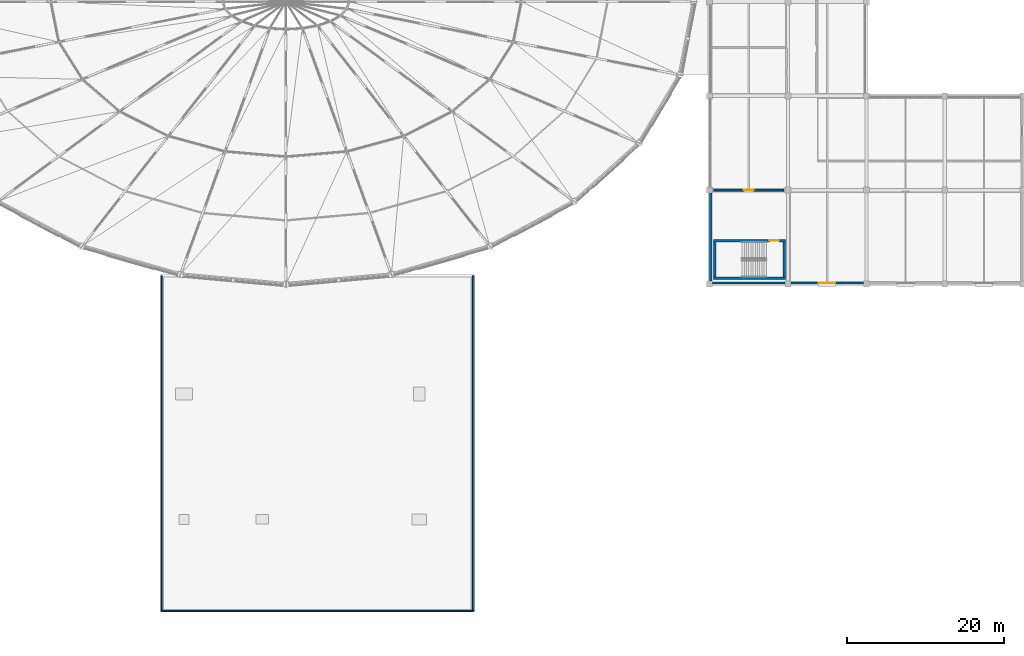
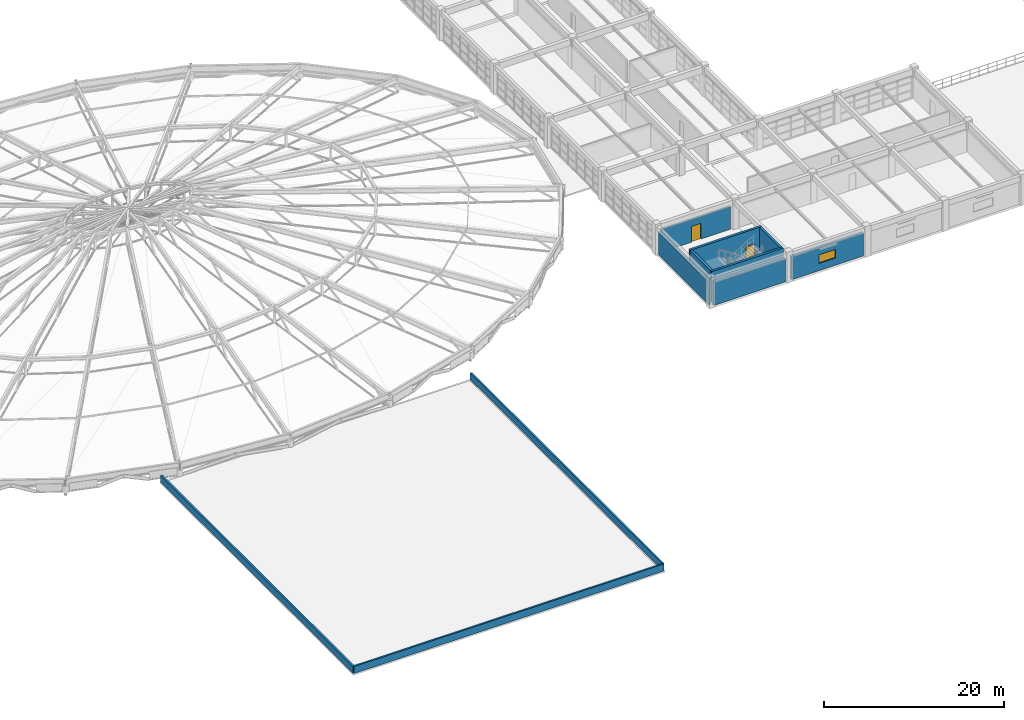
# One storey, part 69 of 83: 11 walls, 2 doors, 1 window, 3 openings.
"""IFC4 building model written with IfcOpenShell, lengths in metres."""

import ifcopenshell
import ifcopenshell.guid

model = None  # the IFC model being written
_history = None  # IfcOwnerHistory: only IFC2X3 demands one
_inside = {}  # id of a spatial element -> (the spatial element, [elements in it])
_under = {}  # id of a project, library or spatial element -> (it, [spatial elements below it])
_declared = {}  # id of a project -> (the project, [libraries it declares])
_typed = {}  # id of a type object -> (the type object, [elements of that type])
_made_of = {}  # id of a material, layer set ... -> (it, [elements and type objects made of it])


def new_model(schema):
    """Start an empty IFC model of exactly this schema.

    Asked for "IFC4X3", IfcOpenShell would pick the latest addendum, in which some entities
    have other attributes; the version numbers below select the first issue.
    IFC2X3 requires an IfcOwnerHistory on every rooted entity: one is made here for all.
    """
    global model, _history
    if schema == "IFC4X3":
        model = ifcopenshell.file(schema_version=(4, 3, 0, 0))
    else:
        model = ifcopenshell.file(schema=schema)
    _inside.clear()
    _under.clear()
    _declared.clear()
    _typed.clear()
    _made_of.clear()
    _history = None
    if model.schema == "IFC2X3":
        org = make("IfcOrganization", Name="unknown")
        user = make(
            "IfcPersonAndOrganization",
            ThePerson=make("IfcPerson", FamilyName="unknown"),
            TheOrganization=org,
        )
        app = make(
            "IfcApplication",
            ApplicationDeveloper=org,
            Version="unknown",
            ApplicationFullName="unknown",
            ApplicationIdentifier="unknown",
        )
        _history = make(
            "IfcOwnerHistory",
            OwningUser=user,
            OwningApplication=app,
            ChangeAction="ADDED",
            CreationDate=0,
        )
    return model


def make(cls, **values):
    """One entity of the class cls with the attributes given. An attribute that is None is left unset."""
    return model.create_entity(
        cls, **{name: value for name, value in values.items() if value is not None}
    )


def rooted(cls, **values):
    """An entity with a GlobalId (a new one), such as an element, a storey or a relation."""
    return make(cls, GlobalId=ifcopenshell.guid.new(), OwnerHistory=_history, **values)


def si_unit(unit_type, name, prefix=None):
    """IfcSIUnit, for example si_unit("LENGTHUNIT", "METRE", prefix="MILLI")."""
    return make("IfcSIUnit", UnitType=unit_type, Prefix=prefix, Name=name)


def assignment(units):
    """IfcUnitAssignment: the units of a project."""
    return None if units is None else make("IfcUnitAssignment", Units=units)


def point(xyz):
    """IfcCartesianPoint."""
    return None if xyz is None else make("IfcCartesianPoint", Coordinates=xyz)


def direction(xyz):
    """IfcDirection."""
    return None if xyz is None else make("IfcDirection", DirectionRatios=xyz)


def frame(location, z_axis=None, x_axis=None):
    """IfcAxis2Placement3D, a coordinate frame: its origin and axes. An axis left out is left unset."""
    return make(
        "IfcAxis2Placement3D",
        Location=point(location),
        Axis=direction(z_axis),
        RefDirection=direction(x_axis),
    )


def frame_2d(location, x_axis=None):
    """IfcAxis2Placement2D, a coordinate frame in the plane: its origin and x axis."""
    return make(
        "IfcAxis2Placement2D", Location=point(location), RefDirection=direction(x_axis)
    )


def origin():
    """The frame at (0, 0, 0) with its axes left unset."""
    return frame((0.0, 0.0, 0.0))


def place(relative_to, where):
    """IfcLocalPlacement: puts the frame where relative to a parent placement (None: the world)."""
    return make(
        "IfcLocalPlacement", PlacementRelTo=relative_to, RelativePlacement=where
    )


def context(
    kind, dimensions, precision=None, world=None, true_north=None, identifier=None
):
    """IfcGeometricRepresentationContext, for example the 3D "Model" context."""
    return make(
        "IfcGeometricRepresentationContext",
        ContextIdentifier=identifier,
        ContextType=kind,
        CoordinateSpaceDimension=dimensions,
        Precision=precision,
        WorldCoordinateSystem=world,
        TrueNorth=true_north,
    )


def subcontext(parent, identifier, kind, view, scale=None):
    """IfcGeometricRepresentationSubContext, for example "Body" below "Model"."""
    return make(
        "IfcGeometricRepresentationSubContext",
        ContextIdentifier=identifier,
        ContextType=kind,
        ParentContext=parent,
        TargetScale=scale,
        TargetView=view,
    )


def project(units=None, contexts=None):
    """IfcProject with its units and contexts."""
    return rooted(
        "IfcProject",
        Name="project",
        RepresentationContexts=contexts,
        UnitsInContext=assignment(units),
    )


def spatial(cls, under=None, at=None, **own):
    """A site, building, storey or space (cls), placed at a placement, below another one or the project."""
    s = rooted(cls, ObjectPlacement=at, **own)
    if under is not None:
        _under.setdefault(under.id(), (under, []))[1].append(s)
    return s


def profile(cls, at=None, kind="AREA", **sizes):
    """A parametric profile (cls). Its sizes go by their IFC names, for example OverallWidth=200.0."""
    return make(cls, ProfileType=kind, Position=at, **sizes)


def rectangle(**sizes):
    """IfcRectangleProfileDef."""
    return profile("IfcRectangleProfileDef", **sizes)


def extrude(swept, where, along, depth):
    """IfcExtrudedAreaSolid: the profile swept, set in the frame where, extruded along a direction by depth."""
    return make(
        "IfcExtrudedAreaSolid",
        SweptArea=swept,
        Position=where,
        ExtrudedDirection=direction(along),
        Depth=depth,
    )


def shape(context_of_items, identifier, shape_type, items):
    """IfcShapeRepresentation: the items that make up one representation, for example the "Body"."""
    return make(
        "IfcShapeRepresentation",
        ContextOfItems=context_of_items,
        RepresentationIdentifier=identifier,
        RepresentationType=shape_type,
        Items=items,
    )


def material(Name=None, Category=None):
    """IfcMaterial."""
    return make("IfcMaterial", Name=Name, Category=Category)


def layer(
    of_material, thickness, ventilated=None, Name=None, Category=None, Priority=None
):
    """IfcMaterialLayer: one layer of a wall or slab, of a material (None: an air gap)."""
    return make(
        "IfcMaterialLayer",
        Material=of_material,
        LayerThickness=thickness,
        IsVentilated=ventilated,
        Name=Name,
        Category=Category,
        Priority=Priority,
    )


def layer_set(layers, Name=None):
    """IfcMaterialLayerSet."""
    return make("IfcMaterialLayerSet", MaterialLayers=layers, LayerSetName=Name)


def made_of(thing, what):
    """Note that an element or type object is made of a material, layer set ...; save() writes the relation."""
    if what is not None:
        _made_of.setdefault(what.id(), (what, []))[1].append(thing)
    return thing


def type_object(cls, material=None, **own):
    """A type object (cls), such as IfcWallType, which elements share."""
    return made_of(rooted(cls, **own), material)


def element(
    cls,
    number,
    at=None,
    inside=None,
    cuts=None,
    type_object=None,
    material=None,
    context=None,
    identifier="Body",
    shape_type=None,
    held_by="IfcProductDefinitionShape",
    body=None,
    shapes=None,
    **own,
):
    """One element of the class cls, such as IfcWall. Its Tag is "e" and its number.

    at: its placement. inside: the storey or other place that contains it. cuts: it is an
    opening in that element (IfcRelVoidsElement). A single representation is given by context,
    identifier, shape_type and body (its items); several are given by shapes. held_by: the class
    of the entity that holds the representations. save() writes the other relations.
    """
    e = rooted(cls, Tag="e%d" % number, ObjectPlacement=at, **own)
    if body is not None:
        shapes = [shape(context, identifier, shape_type, body)]
    if shapes is not None:
        e.Representation = make(held_by, Representations=shapes)
    if inside is not None:
        _inside.setdefault(inside.id(), (inside, []))[1].append(e)
    if cuts is not None:
        rooted(
            "IfcRelVoidsElement", RelatingBuildingElement=cuts, RelatedOpeningElement=e
        )
    if type_object is not None:
        _typed.setdefault(type_object.id(), (type_object, []))[1].append(e)
    return made_of(e, material)


def fill(opening, filler):
    """IfcRelFillsElement: the door or window that sits in an opening."""
    return rooted(
        "IfcRelFillsElement",
        RelatingOpeningElement=opening,
        RelatedBuildingElement=filler,
    )


def aggregate(whole, parts):
    """IfcRelAggregates: a whole, such as a stair, and the parts it consists of."""
    return rooted("IfcRelAggregates", RelatingObject=whole, RelatedObjects=parts)


def save(model, path):
    """Write the relations noted so far, then the file.

    IfcRelAggregates (storeys below a building ...), IfcRelContainedInSpatialStructure (elements
    in a storey), IfcRelDefinesByType, IfcRelAssociatesMaterial and IfcRelDeclares: one each for
    every whole, place, type object, material and project.
    """
    for whole, parts in _under.values():
        aggregate(whole, parts)
    for where, things in _inside.values():
        rooted(
            "IfcRelContainedInSpatialStructure",
            RelatedElements=things,
            RelatingStructure=where,
        )
    for kind, things in _typed.values():
        rooted("IfcRelDefinesByType", RelatedObjects=things, RelatingType=kind)
    for what, things in _made_of.values():
        rooted("IfcRelAssociatesMaterial", RelatedObjects=things, RelatingMaterial=what)
    for by, libraries in _declared.values():
        rooted("IfcRelDeclares", RelatingContext=by, RelatedDefinitions=libraries)
    model.write(path)


model = new_model("IFC4")

# Units and contexts
model_context = context("Model", 3, precision=1e-05, world=origin(), true_north=direction((0.0, 1.0)))
body_context = subcontext(model_context, "Body", "Model", "MODEL_VIEW")
ifc_project = project(units=[si_unit("LENGTHUNIT", "METRE"), si_unit("AREAUNIT", "SQUARE_METRE"), si_unit("VOLUMEUNIT", "CUBIC_METRE"), si_unit("PLANEANGLEUNIT", "RADIAN"), si_unit("MASSUNIT", "GRAM", prefix="KILO")], contexts=[model_context])

# Site, building, storey
site_placement = place(None, origin())
site = spatial("IfcSite", under=ifc_project, at=site_placement, CompositionType="ELEMENT")
building_placement = place(site_placement, origin())
building = spatial("IfcBuilding", under=site, at=building_placement, Name="Kivolera Central Railway Station", CompositionType="ELEMENT")
storey_placement = place(building_placement, frame((0.0, 0.0, 14.39990234375)))
storey = spatial("IfcBuildingStorey", under=building, at=storey_placement, Name="L03", CompositionType="ELEMENT", Elevation=14.39990234375)

# Wall
ifc_material_1 = material(Name="Concrete C40/50", Category="concrete")
ifc_layer_1 = layer(ifc_material_1, 0.300048828125, Name="Concrete C40/50")
ifc_layer_set_1 = layer_set([ifc_layer_1], Name="Concrete C40/50")
wall_type_1 = type_object("IfcWallType", Name="WL-CORE-300", PredefinedType="SHEAR", material=ifc_layer_set_1)
wall_1_placement = place(storey_placement, frame((127.699951171875, 54.75, 0.0), z_axis=(0.0, 0.0, 1.0), x_axis=(-1.0, 0.0, 0.0)))
element("IfcWall", 1, at=wall_1_placement, inside=storey, type_object=wall_type_1, Name="L03 ST4 Core Right Shear Wall", PredefinedType="SHEAR", context=body_context, shape_type="SweptSolid", body=[
    extrude(rectangle(XDim=9.199951171875, YDim=0.300048828125, at=frame_2d((4.60009765625, 0.0))), origin(), (0.0, 0.0, 1.0), 4.2001953125),
])

# Wall, opening, door
wall_2_placement = place(storey_placement, frame((118.5, 59.550048828125, 0.0), z_axis=(0.0, 0.0, 1.0), x_axis=(1.0, 0.0, 0.0)))
wall_2 = element("IfcWall", 2, at=wall_2_placement, inside=storey, type_object=wall_type_1, Name="L03 ST4 Core Left Shear Wall", PredefinedType="SHEAR", context=body_context, shape_type="SweptSolid", body=[
    extrude(rectangle(XDim=9.199951171875, YDim=0.300048828125, at=frame_2d((4.60009765625, 0.0))), origin(), (0.0, 0.0, 1.0), 4.2001953125),
])
opening_1_placement = place(wall_2_placement, frame((7.14990234375, 0.0, 0.0)))
opening_1 = element("IfcOpeningElement", 3, at=opening_1_placement, cuts=wall_2, Name="Opening D-STAIR-1200", PredefinedType="OPENING", context=body_context, shape_type="SweptSolid", body=[
    extrude(rectangle(XDim=1.199951171875, YDim=2.14990234375, at=frame_2d((0.60009765625, 1.074951171875))), frame((0.0, 0.159912109375, 0.0), z_axis=(0.0, -1.0, 0.0), x_axis=(1.0, 0.0, 0.0)), (0.0, 0.0, 1.0), 0.320068359375),
])
ifc_material_2 = material(Name="Hardwood mvule timber", Category="wood")
door_type_1 = type_object("IfcDoorType", Name="DR-D-STAIR-1200", OperationType="NOTDEFINED", PredefinedType="DOOR", material=ifc_material_2)
door_1_placement = place(opening_1_placement, origin())
door_1 = element("IfcDoor", 4, at=door_1_placement, inside=storey, type_object=door_type_1, Name="L03 ST4 Lobby Fire Door", OperationType="SINGLE_SWING_LEFT", OverallHeight=2.14990234375, OverallWidth=1.199951171875, PredefinedType="DOOR", context=body_context, shape_type="SweptSolid", body=[
    extrude(rectangle(XDim=1.199951171875, YDim=2.14990234375, at=frame_2d((0.60009765625, 1.074951171875))), frame((0.0, 0.02490234375, 0.0), z_axis=(0.0, -1.0, 0.0), x_axis=(1.0, 0.0, 0.0)), (0.0, 0.0, 1.0), 0.050048828125),
])
fill(opening_1, door_1)

# Walls
for number, where, z_axis, x_axis, name in (
    (5, (127.550048828125, 59.39990234375, 0.0), (0.0, 0.0, 1.0), (0.0, -1.0, 0.0), "L03 ST4 Core Near Shear Wall"),
    (6, (118.64990234375, 54.89990234375, 0.0), (0.0, 0.0, 1.0), (0.0, 1.0, 0.0), "L03 ST4 Core Far Shear Wall"),
):
    element("IfcWall", number, at=place(storey_placement, frame(where, z_axis=z_axis, x_axis=x_axis)), inside=storey, type_object=wall_type_1, Name=name, PredefinedType="SHEAR", context=body_context, shape_type="SweptSolid", body=[
        extrude(rectangle(XDim=4.5, YDim=0.300048828125, at=frame_2d((2.25, 0.0))), origin(), (0.0, 0.0, 1.0), 4.2001953125),
    ])
ifc_material_3 = material(Name="Swahili coral limestone", Category="masonry")
ifc_layer_2 = layer(ifc_material_3, 0.2900390625, Name="Swahili coral limestone")
ifc_layer_set_2 = layer_set([ifc_layer_2], Name="Swahili coral limestone")
wall_type_2 = type_object("IfcWallType", Name="WL-EXT-CORAL-290", PredefinedType="SOLIDWALL", material=ifc_layer_set_2)
wall_3_placement = place(storey_placement, frame((118.14501953125, 54.3701171875, 0.0), z_axis=(0.0, 0.0, 1.0), x_axis=(0.0, 1.0, 0.0)))
element("IfcWall", 7, at=wall_3_placement, inside=storey, type_object=wall_type_2, Name="L03 West Facade Wall E-F", PredefinedType="SOLIDWALL", context=body_context, shape_type="SweptSolid", body=[
    extrude(rectangle(XDim=11.259765625, YDim=0.2900390625, at=frame_2d((5.6298828125, 0.0))), origin(), (0.0, 0.0, 1.0), 3.078125),
])
wall_4_placement = place(storey_placement, frame((127.6298828125, 54.14501953125, 0.0), z_axis=(0.0, 0.0, 1.0), x_axis=(-1.0, 0.0, 0.0)))
element("IfcWall", 8, at=wall_4_placement, inside=storey, type_object=wall_type_2, Name="L03 South Facade Wall 118-128", PredefinedType="SOLIDWALL", context=body_context, shape_type="SweptSolid", body=[
    extrude(rectangle(XDim=9.259765625, YDim=0.2900390625, at=frame_2d((4.6298828125, 0.0))), origin(), (0.0, 0.0, 1.0), 3.177978515625),
])

# Wall, opening, window
wall_5_placement = place(storey_placement, frame((137.6298828125, 54.14501953125, 0.0), z_axis=(0.0, 0.0, 1.0), x_axis=(-1.0, 0.0, 0.0)))
wall_5 = element("IfcWall", 9, at=wall_5_placement, inside=storey, type_object=wall_type_2, Name="L03 South Facade Wall 128-138", PredefinedType="SOLIDWALL", context=body_context, shape_type="SweptSolid", body=[
    extrude(rectangle(XDim=9.259765625, YDim=0.2900390625, at=frame_2d((4.6298828125, 0.0))), origin(), (0.0, 0.0, 1.0), 3.177978515625),
])
opening_2_placement = place(wall_5_placement, frame((3.580078125, 0.0, 1.0)))
opening_2 = element("IfcOpeningElement", 10, at=opening_2_placement, cuts=wall_5, Name="Opening WN-07", PredefinedType="OPENING", context=body_context, shape_type="SweptSolid", body=[
    extrude(rectangle(XDim=2.10009765625, YDim=1.14990234375, at=frame_2d((1.050048828125, 0.574951171875))), frame((0.0, 0.155029296875, 0.0), z_axis=(0.0, -1.0, 0.0), x_axis=(1.0, 0.0, 0.0)), (0.0, 0.0, 1.0), 0.31005859375),
])
ifc_material_4 = material(Name="Double low-E laminated glass", Category="glass")
window_type = type_object("IfcWindowType", Name="WIN-WN-07", PartitioningType="SINGLE_PANEL", PredefinedType="WINDOW", material=ifc_material_4)
window_placement = place(opening_2_placement, origin())
window = element("IfcWindow", 11, at=window_placement, inside=storey, type_object=window_type, Name="L03 South Facade Window 128", OverallHeight=1.14990234375, OverallWidth=2.10009765625, PartitioningType="SINGLE_PANEL", PredefinedType="WINDOW", context=body_context, shape_type="SweptSolid", body=[
    extrude(rectangle(XDim=2.10009765625, YDim=1.14990234375, at=frame_2d((1.050048828125, 0.574951171875))), frame((0.0, 0.030029296875, 0.0), z_axis=(0.0, -1.0, 0.0), x_axis=(1.0, 0.0, 0.0)), (0.0, 0.0, 1.0), 0.06005859375),
])
fill(opening_2, window)

# Wall, opening, door
ifc_layer_3 = layer(ifc_material_1, 0.25, Name="Concrete C40/50")
ifc_layer_set_3 = layer_set([ifc_layer_3], Name="Concrete C40/50")
wall_type_3 = type_object("IfcWallType", Name="WL-FFL-250", PredefinedType="PARTITIONING", material=ifc_layer_set_3)
wall_6_placement = place(storey_placement, frame((118.550048828125, 66.0, 0.0), z_axis=(0.0, 0.0, 1.0), x_axis=(1.0, 0.0, 0.0)))
wall_6 = element("IfcWall", 12, at=wall_6_placement, inside=storey, type_object=wall_type_3, Name="L03 ST4 Lobby Wall", PredefinedType="PARTITIONING", context=body_context, shape_type="SweptSolid", body=[
    extrude(rectangle(XDim=8.89990234375, YDim=0.25, at=frame_2d((4.449951171875, 0.0))), origin(), (0.0, 0.0, 1.0), 3.078125),
])
opening_3_placement = place(wall_6_placement, frame((3.85009765625, 0.0, 0.0)))
opening_3 = element("IfcOpeningElement", 13, at=opening_3_placement, cuts=wall_6, Name="Opening D-FFL-1250", PredefinedType="OPENING", context=body_context, shape_type="SweptSolid", body=[
    extrude(rectangle(XDim=1.25, YDim=2.14990234375, at=frame_2d((0.625, 1.074951171875))), frame((0.0, 0.135009765625, 0.0), z_axis=(0.0, -1.0, 0.0), x_axis=(1.0, 0.0, 0.0)), (0.0, 0.0, 1.0), 0.27001953125),
])
door_type_2 = type_object("IfcDoorType", Name="DR-D-FFL-1250", OperationType="NOTDEFINED", PredefinedType="DOOR", material=ifc_material_2)
door_2_placement = place(opening_3_placement, origin())
door_2 = element("IfcDoor", 14, at=door_2_placement, inside=storey, type_object=door_type_2, Name="L03 ST4 Lobby Corridor Door", OperationType="SINGLE_SWING_LEFT", OverallHeight=2.14990234375, OverallWidth=1.25, PredefinedType="DOOR", context=body_context, shape_type="SweptSolid", body=[
    extrude(rectangle(XDim=1.25, YDim=2.14990234375, at=frame_2d((0.625, 1.074951171875))), frame((0.0, 0.02490234375, 0.0), z_axis=(0.0, -1.0, 0.0), x_axis=(1.0, 0.0, 0.0)), (0.0, 0.0, 1.0), 0.050048828125),
])
fill(opening_3, door_2)

# Walls
ifc_layer_4 = layer(ifc_material_1, 0.219970703125, Name="Concrete C40/50")
ifc_layer_set_4 = layer_set([ifc_layer_4], Name="Concrete C40/50")
wall_type_4 = type_object("IfcWallType", Name="WL-PARAPET-220", PredefinedType="PARAPET", material=ifc_layer_set_4)
for number, where, z_axis, x_axis, name in (
    (15, (48.1201171875, 12.320068359375, 0.0), (0.0, 0.0, 1.0), (0.0, 1.0, 0.0), "L03 Roof Perimeter Parapet BRG-W"),
    (16, (87.8798828125, 12.320068359375, 0.0), (0.0, 0.0, 1.0), (0.0, 1.0, 0.0), "L03 Roof Perimeter Parapet BRG-E"),
):
    element("IfcWall", number, at=place(storey_placement, frame(where, z_axis=z_axis, x_axis=x_axis)), inside=storey, type_object=wall_type_4, Name=name, PredefinedType="PARAPET", context=body_context, shape_type="SweptSolid", body=[
        extrude(rectangle(XDim=42.760009765625, YDim=0.219970703125, at=frame_2d((21.3798828125, 0.0))), origin(), (0.0, 0.0, 1.0), 0.9501953125),
    ])
wall_7_placement = place(storey_placement, frame((48.1201171875, 12.320068359375, 0.0), z_axis=(0.0, 0.0, 1.0), x_axis=(1.0, 0.0, 0.0)))
element("IfcWall", 17, at=wall_7_placement, inside=storey, type_object=wall_type_4, Name="L03 Roof Perimeter Parapet BRG-S", PredefinedType="PARAPET", context=body_context, shape_type="SweptSolid", body=[
    extrude(rectangle(XDim=39.759765625, YDim=0.219970703125, at=frame_2d((19.8798828125, 0.0))), origin(), (0.0, 0.0, 1.0), 0.9501953125),
])

save(model, "model.ifc")
